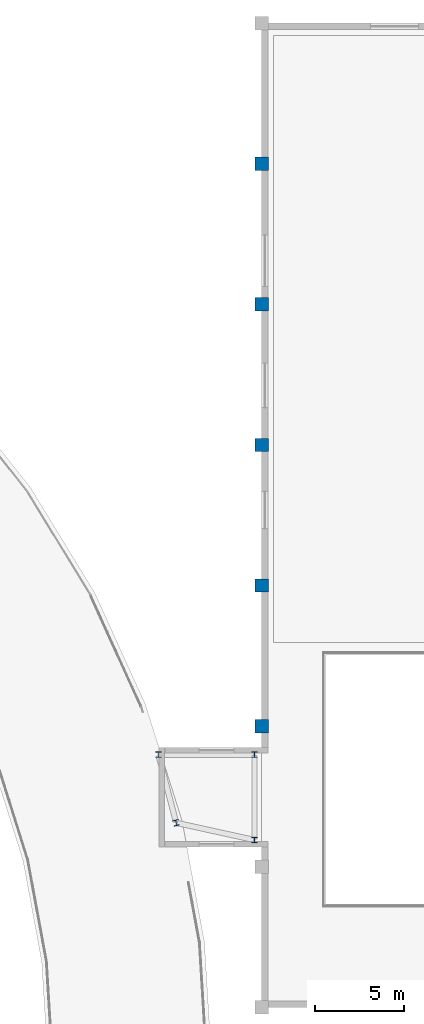
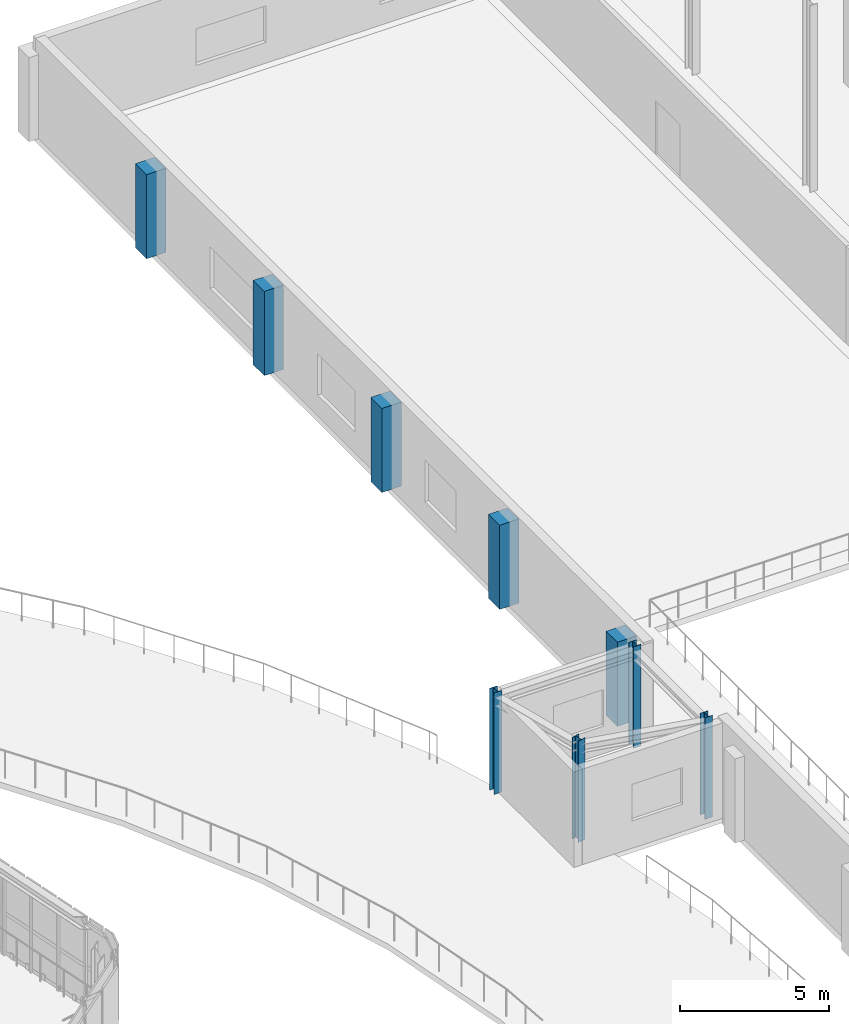
# One storey, part 11 of 59: 9 columns.
"""IFC4 building model written with IfcOpenShell, lengths in metres."""

from ifc_helpers import new_model, si_unit, direction, frame, origin, origin_2d, place, context, subcontext, project, spatial, rectangle, i_section, extrude, material, material_profile, profile_set, type_object, element, save


model = new_model("IFC4")

# Units and contexts
model_context = context("Model", 3, precision=1e-05, world=origin(), true_north=direction((0.0, 1.0)))
body_context = subcontext(model_context, "Body", "Model", "MODEL_VIEW")
ifc_project = project(units=[si_unit("LENGTHUNIT", "METRE"), si_unit("AREAUNIT", "SQUARE_METRE"), si_unit("VOLUMEUNIT", "CUBIC_METRE"), si_unit("PLANEANGLEUNIT", "RADIAN"), si_unit("MASSUNIT", "GRAM", prefix="KILO")], contexts=[model_context])

# Site, building, storey
site_placement = place(None, origin())
site = spatial("IfcSite", under=ifc_project, at=site_placement, CompositionType="ELEMENT")
building_placement = place(site_placement, origin())
building = spatial("IfcBuilding", under=site, at=building_placement, Name="Varnklinge Art Gallery", CompositionType="ELEMENT")
storey_placement = place(building_placement, frame((0.0, 0.0, 9.52001953125)))
storey = spatial("IfcBuildingStorey", under=building, at=storey_placement, Name="L02", CompositionType="ELEMENT", Elevation=9.52001953125)

# Columns
ifc_material_1 = material(Name="Steel S355", Category="steel")
ifc_material_profile_1 = material_profile(ifc_material_1, i_section(OverallWidth=0.300048828125, OverallDepth=0.320068359375, WebThickness=0.011474609375, FlangeThickness=0.0205078125, FilletRadius=0.027099609375, at=origin_2d()), Name="HEB 320")
ifc_profile_set_1 = profile_set([ifc_material_profile_1], Name="Steel S355")
column_type_1 = type_object("IfcColumnType", Name="COL-09", PredefinedType="COLUMN", material=ifc_profile_set_1)
for number, where, z_axis, x_axis, name in (
    (1, (109.598388671875, 68.56591796875, 0.0), (0.0, 0.0, 1.0), (-0.970506473469, -0.241075060833, 0.0), "L02 Column V2CO-09"),
    (2, (114.0, 67.60009765625, 0.0), (0.0, 0.0, 1.0), (1.0, 0.0, 0.0), "L02 Column LNK-V1-C2"),
    (3, (114.0, 72.39990234375, 0.0), (0.0, 0.0, 1.0), (1.0, 0.0, 0.0), "L02 Column LNK-V1-C3"),
    (4, (108.60009765625, 72.39990234375, 0.0), (0.0, 0.0, 1.0), (1.0, 0.0, 0.0), "L02 Column LNK-V1-C4"),
):
    element("IfcColumn", number, at=place(storey_placement, frame(where, z_axis=z_axis, x_axis=x_axis)), inside=storey, type_object=column_type_1, Name=name, PredefinedType="COLUMN", context=body_context, shape_type="SweptSolid", body=[
        extrude(i_section(OverallWidth=0.300048828125, OverallDepth=0.320068359375, WebThickness=0.011474609375, FlangeThickness=0.0205078125, FilletRadius=0.027099609375, at=origin_2d()), origin(), (0.0, 0.0, 1.0), 4.159912109375),
    ])
ifc_material_2 = material(Name="Concrete C40/50", Category="concrete")
ifc_material_profile_2 = material_profile(ifc_material_2, rectangle(XDim=0.75, YDim=0.75, at=origin_2d()), Name="RC 750x750")
ifc_profile_set_2 = profile_set([ifc_material_profile_2], Name="Concrete C40/50")
column_type_2 = type_object("IfcColumnType", Name="PIL-01", PredefinedType="PILASTER", material=ifc_profile_set_2)
for number, where, z_axis, x_axis, name in (
    (5, (114.39990234375, 74.0, 0.0), (0.0, 0.0, 1.0), (1.0, 0.0, 0.0), "L02 Column V1C-1-3"),
    (6, (114.39990234375, 81.89990234375, 0.0), (0.0, 0.0, 1.0), (1.0, 0.0, 0.0), "L02 Column V1C-1-4"),
    (7, (114.39990234375, 89.800048828125, 0.0), (0.0, 0.0, 1.0), (1.0, 0.0, 0.0), "L02 Column V1C-1-5"),
    (8, (114.39990234375, 97.699951171875, 0.0), (0.0, 0.0, 1.0), (1.0, 0.0, 0.0), "L02 Column V1C-1-6"),
    (9, (114.39990234375, 105.60009765625, 0.0), (0.0, 0.0, 1.0), (1.0, 0.0, 0.0), "L02 Column V1C-1-7"),
):
    element("IfcColumn", number, at=place(storey_placement, frame(where, z_axis=z_axis, x_axis=x_axis)), inside=storey, type_object=column_type_2, Name=name, PredefinedType="PILASTER", context=body_context, shape_type="SweptSolid", body=[
        extrude(rectangle(XDim=0.75, YDim=0.75, at=origin_2d()), origin(), (0.0, 0.0, 1.0), 3.449951171875),
    ])

save(model, "model.ifc")
